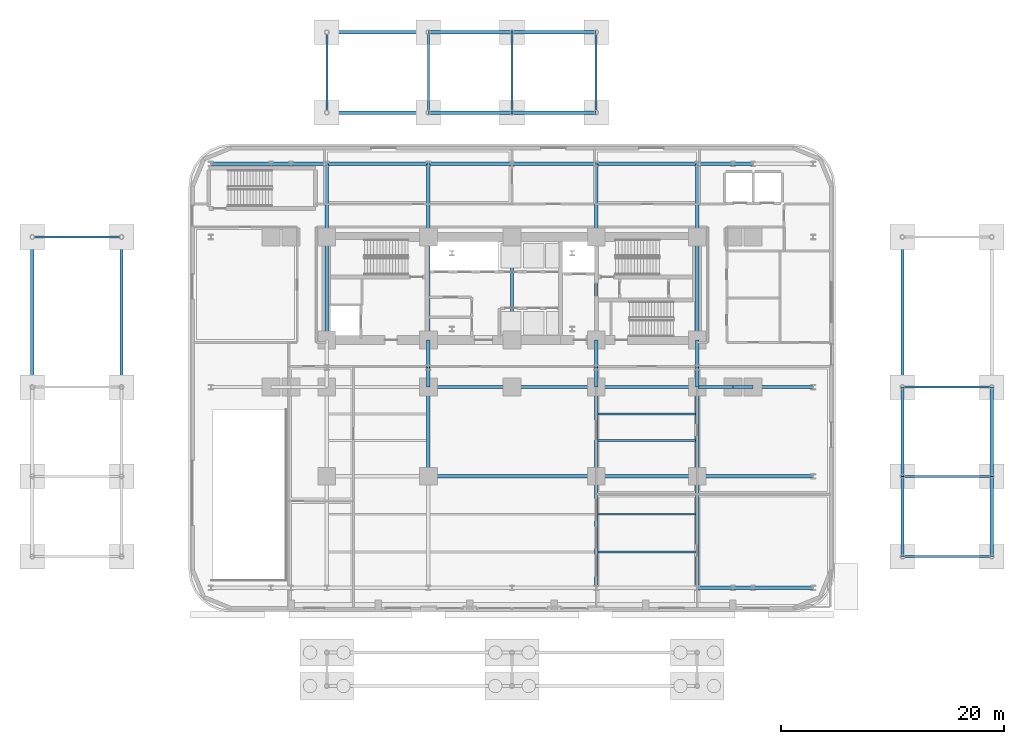
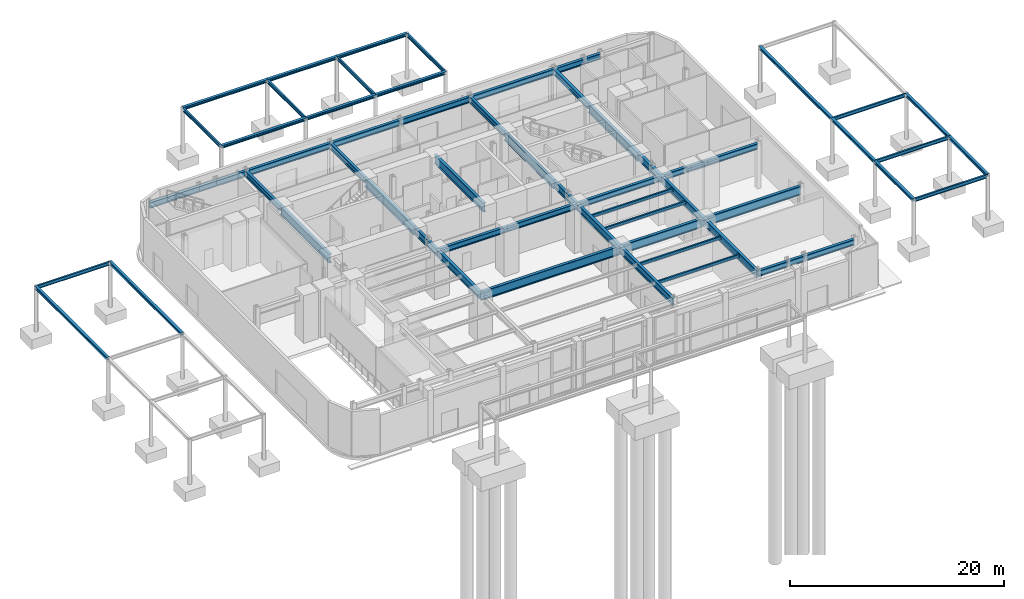
# One storey, part 10 of 21: 66 beams.
"""IFC4 building model written with IfcOpenShell, lengths in metres."""

import ifcopenshell
import ifcopenshell.guid

model = None  # the IFC model being written
_history = None  # IfcOwnerHistory: only IFC2X3 demands one
_inside = {}  # id of a spatial element -> (the spatial element, [elements in it])
_under = {}  # id of a project, library or spatial element -> (it, [spatial elements below it])
_declared = {}  # id of a project -> (the project, [libraries it declares])
_typed = {}  # id of a type object -> (the type object, [elements of that type])
_made_of = {}  # id of a material, layer set ... -> (it, [elements and type objects made of it])


def new_model(schema):
    """Start an empty IFC model of exactly this schema.

    Asked for "IFC4X3", IfcOpenShell would pick the latest addendum, in which some entities
    have other attributes; the version numbers below select the first issue.
    IFC2X3 requires an IfcOwnerHistory on every rooted entity: one is made here for all.
    """
    global model, _history
    if schema == "IFC4X3":
        model = ifcopenshell.file(schema_version=(4, 3, 0, 0))
    else:
        model = ifcopenshell.file(schema=schema)
    _inside.clear()
    _under.clear()
    _declared.clear()
    _typed.clear()
    _made_of.clear()
    _history = None
    if model.schema == "IFC2X3":
        org = make("IfcOrganization", Name="unknown")
        user = make(
            "IfcPersonAndOrganization",
            ThePerson=make("IfcPerson", FamilyName="unknown"),
            TheOrganization=org,
        )
        app = make(
            "IfcApplication",
            ApplicationDeveloper=org,
            Version="unknown",
            ApplicationFullName="unknown",
            ApplicationIdentifier="unknown",
        )
        _history = make(
            "IfcOwnerHistory",
            OwningUser=user,
            OwningApplication=app,
            ChangeAction="ADDED",
            CreationDate=0,
        )
    return model


def make(cls, **values):
    """One entity of the class cls with the attributes given. An attribute that is None is left unset."""
    return model.create_entity(
        cls, **{name: value for name, value in values.items() if value is not None}
    )


def rooted(cls, **values):
    """An entity with a GlobalId (a new one), such as an element, a storey or a relation."""
    return make(cls, GlobalId=ifcopenshell.guid.new(), OwnerHistory=_history, **values)


def si_unit(unit_type, name, prefix=None):
    """IfcSIUnit, for example si_unit("LENGTHUNIT", "METRE", prefix="MILLI")."""
    return make("IfcSIUnit", UnitType=unit_type, Prefix=prefix, Name=name)


def assignment(units):
    """IfcUnitAssignment: the units of a project."""
    return None if units is None else make("IfcUnitAssignment", Units=units)


def point(xyz):
    """IfcCartesianPoint."""
    return None if xyz is None else make("IfcCartesianPoint", Coordinates=xyz)


def direction(xyz):
    """IfcDirection."""
    return None if xyz is None else make("IfcDirection", DirectionRatios=xyz)


def frame(location, z_axis=None, x_axis=None):
    """IfcAxis2Placement3D, a coordinate frame: its origin and axes. An axis left out is left unset."""
    return make(
        "IfcAxis2Placement3D",
        Location=point(location),
        Axis=direction(z_axis),
        RefDirection=direction(x_axis),
    )


def frame_2d(location, x_axis=None):
    """IfcAxis2Placement2D, a coordinate frame in the plane: its origin and x axis."""
    return make(
        "IfcAxis2Placement2D", Location=point(location), RefDirection=direction(x_axis)
    )


def origin():
    """The frame at (0, 0, 0) with its axes left unset."""
    return frame((0.0, 0.0, 0.0))


def origin_2d():
    """The frame at (0, 0) in the plane with its x axis left unset."""
    return frame_2d((0.0, 0.0))


def place(relative_to, where):
    """IfcLocalPlacement: puts the frame where relative to a parent placement (None: the world)."""
    return make(
        "IfcLocalPlacement", PlacementRelTo=relative_to, RelativePlacement=where
    )


def context(
    kind, dimensions, precision=None, world=None, true_north=None, identifier=None
):
    """IfcGeometricRepresentationContext, for example the 3D "Model" context."""
    return make(
        "IfcGeometricRepresentationContext",
        ContextIdentifier=identifier,
        ContextType=kind,
        CoordinateSpaceDimension=dimensions,
        Precision=precision,
        WorldCoordinateSystem=world,
        TrueNorth=true_north,
    )


def subcontext(parent, identifier, kind, view, scale=None):
    """IfcGeometricRepresentationSubContext, for example "Body" below "Model"."""
    return make(
        "IfcGeometricRepresentationSubContext",
        ContextIdentifier=identifier,
        ContextType=kind,
        ParentContext=parent,
        TargetScale=scale,
        TargetView=view,
    )


def project(units=None, contexts=None):
    """IfcProject with its units and contexts."""
    return rooted(
        "IfcProject",
        Name="project",
        RepresentationContexts=contexts,
        UnitsInContext=assignment(units),
    )


def spatial(cls, under=None, at=None, **own):
    """A site, building, storey or space (cls), placed at a placement, below another one or the project."""
    s = rooted(cls, ObjectPlacement=at, **own)
    if under is not None:
        _under.setdefault(under.id(), (under, []))[1].append(s)
    return s


def profile(cls, at=None, kind="AREA", **sizes):
    """A parametric profile (cls). Its sizes go by their IFC names, for example OverallWidth=200.0."""
    return make(cls, ProfileType=kind, Position=at, **sizes)


def i_section(**sizes):
    """IfcIShapeProfileDef."""
    return profile("IfcIShapeProfileDef", **sizes)


def extrude(swept, where, along, depth):
    """IfcExtrudedAreaSolid: the profile swept, set in the frame where, extruded along a direction by depth."""
    return make(
        "IfcExtrudedAreaSolid",
        SweptArea=swept,
        Position=where,
        ExtrudedDirection=direction(along),
        Depth=depth,
    )


def shape(context_of_items, identifier, shape_type, items):
    """IfcShapeRepresentation: the items that make up one representation, for example the "Body"."""
    return make(
        "IfcShapeRepresentation",
        ContextOfItems=context_of_items,
        RepresentationIdentifier=identifier,
        RepresentationType=shape_type,
        Items=items,
    )


def material(Name=None, Category=None):
    """IfcMaterial."""
    return make("IfcMaterial", Name=Name, Category=Category)


def material_profile(
    of_material, cross_section, Name=None, Category=None, Priority=None
):
    """IfcMaterialProfile: a cross section and its material."""
    return make(
        "IfcMaterialProfile",
        Name=Name,
        Material=of_material,
        Profile=cross_section,
        Priority=Priority,
        Category=Category,
    )


def profile_set(profiles, Name=None, composite=None):
    """IfcMaterialProfileSet."""
    return make(
        "IfcMaterialProfileSet",
        Name=Name,
        MaterialProfiles=profiles,
        CompositeProfile=composite,
    )


def made_of(thing, what):
    """Note that an element or type object is made of a material, layer set ...; save() writes the relation."""
    if what is not None:
        _made_of.setdefault(what.id(), (what, []))[1].append(thing)
    return thing


def type_object(cls, material=None, **own):
    """A type object (cls), such as IfcWallType, which elements share."""
    return made_of(rooted(cls, **own), material)


def element(
    cls,
    number,
    at=None,
    inside=None,
    cuts=None,
    type_object=None,
    material=None,
    context=None,
    identifier="Body",
    shape_type=None,
    held_by="IfcProductDefinitionShape",
    body=None,
    shapes=None,
    **own,
):
    """One element of the class cls, such as IfcWall. Its Tag is "e" and its number.

    at: its placement. inside: the storey or other place that contains it. cuts: it is an
    opening in that element (IfcRelVoidsElement). A single representation is given by context,
    identifier, shape_type and body (its items); several are given by shapes. held_by: the class
    of the entity that holds the representations. save() writes the other relations.
    """
    e = rooted(cls, Tag="e%d" % number, ObjectPlacement=at, **own)
    if body is not None:
        shapes = [shape(context, identifier, shape_type, body)]
    if shapes is not None:
        e.Representation = make(held_by, Representations=shapes)
    if inside is not None:
        _inside.setdefault(inside.id(), (inside, []))[1].append(e)
    if cuts is not None:
        rooted(
            "IfcRelVoidsElement", RelatingBuildingElement=cuts, RelatedOpeningElement=e
        )
    if type_object is not None:
        _typed.setdefault(type_object.id(), (type_object, []))[1].append(e)
    return made_of(e, material)


def aggregate(whole, parts):
    """IfcRelAggregates: a whole, such as a stair, and the parts it consists of."""
    return rooted("IfcRelAggregates", RelatingObject=whole, RelatedObjects=parts)


def save(model, path):
    """Write the relations noted so far, then the file.

    IfcRelAggregates (storeys below a building ...), IfcRelContainedInSpatialStructure (elements
    in a storey), IfcRelDefinesByType, IfcRelAssociatesMaterial and IfcRelDeclares: one each for
    every whole, place, type object, material and project.
    """
    for whole, parts in _under.values():
        aggregate(whole, parts)
    for where, things in _inside.values():
        rooted(
            "IfcRelContainedInSpatialStructure",
            RelatedElements=things,
            RelatingStructure=where,
        )
    for kind, things in _typed.values():
        rooted("IfcRelDefinesByType", RelatedObjects=things, RelatingType=kind)
    for what, things in _made_of.values():
        rooted("IfcRelAssociatesMaterial", RelatedObjects=things, RelatingMaterial=what)
    for by, libraries in _declared.values():
        rooted("IfcRelDeclares", RelatingContext=by, RelatedDefinitions=libraries)
    model.write(path)


model = new_model("IFC4")

# Units and contexts
model_context = context("Model", 3, precision=1e-05, world=origin(), true_north=direction((0.0, 1.0)))
body_context = subcontext(model_context, "Body", "Model", "MODEL_VIEW")
ifc_project = project(units=[si_unit("LENGTHUNIT", "METRE"), si_unit("AREAUNIT", "SQUARE_METRE"), si_unit("VOLUMEUNIT", "CUBIC_METRE"), si_unit("PLANEANGLEUNIT", "RADIAN"), si_unit("MASSUNIT", "GRAM", prefix="KILO")], contexts=[model_context])

# Site, building, storey
site_placement = place(None, origin())
site = spatial("IfcSite", under=ifc_project, at=site_placement, CompositionType="ELEMENT")
building_placement = place(site_placement, origin())
building = spatial("IfcBuilding", under=site, at=building_placement, Name="Zarnavel Station Tower", CompositionType="ELEMENT")
storey_placement = place(building_placement, origin())
storey = spatial("IfcBuildingStorey", under=building, at=storey_placement, Name="L01", CompositionType="ELEMENT", Elevation=0.0)

# Beams
ifc_material_1 = material(Name="Steel S355J2", Category="steel")
ifc_material_profile_1 = material_profile(ifc_material_1, i_section(OverallWidth=0.300048828125, OverallDepth=0.320068359375, WebThickness=0.011474609375, FlangeThickness=0.0205078125, FilletRadius=0.027099609375, at=origin_2d()), Name="HEB320")
ifc_profile_set_1 = profile_set([ifc_material_profile_1], Name="Steel S355J2")
beam_type_1 = type_object("IfcBeamType", Name="EB_HEB320", PredefinedType="SPANDREL", material=ifc_profile_set_1)
beam_1_placement = place(storey_placement, frame((63.800048828125, 8.39990234375, 5.0), z_axis=(0.0, 1.0, 0.0), x_axis=(-1.0, 0.0, 0.0)))
element("IfcBeam", 1, at=beam_1_placement, inside=storey, type_object=beam_type_1, Name="East Forecourt Canopy Girder 1-01", PredefinedType="SPANDREL", context=body_context, shape_type="SweptSolid", body=[
    extrude(i_section(OverallWidth=0.300048828125, OverallDepth=0.320068359375, WebThickness=0.011474609375, FlangeThickness=0.0205078125, FilletRadius=0.027099609375, at=origin_2d()), origin(), (0.0, 0.0, 1.0), 7.2001953125),
])
beam_2_placement = place(storey_placement, frame((63.800048828125, 15.60009765625, 5.0), z_axis=(0.0, 1.0, 0.0), x_axis=(-1.0, 0.0, 0.0)))
element("IfcBeam", 2, at=beam_2_placement, inside=storey, type_object=beam_type_1, Name="East Forecourt Canopy Girder 1-02", PredefinedType="SPANDREL", context=body_context, shape_type="SweptSolid", body=[
    extrude(i_section(OverallWidth=0.300048828125, OverallDepth=0.320068359375, WebThickness=0.011474609375, FlangeThickness=0.0205078125, FilletRadius=0.027099609375, at=origin_2d()), origin(), (0.0, 0.0, 1.0), 8.0),
])
beam_3_placement = place(storey_placement, frame((63.800048828125, 23.60009765625, 5.0), z_axis=(0.0, 1.0, 0.0), x_axis=(-1.0, 0.0, 0.0)))
element("IfcBeam", 3, at=beam_3_placement, inside=storey, type_object=beam_type_1, Name="East Forecourt Canopy Girder 1-03", PredefinedType="SPANDREL", context=body_context, shape_type="SweptSolid", body=[
    extrude(i_section(OverallWidth=0.300048828125, OverallDepth=0.320068359375, WebThickness=0.011474609375, FlangeThickness=0.0205078125, FilletRadius=0.027099609375, at=origin_2d()), origin(), (0.0, 0.0, 1.0), 13.449951171875),
])
beam_4_placement = place(storey_placement, frame((71.800048828125, 8.39990234375, 5.0), z_axis=(0.0, 1.0, 0.0), x_axis=(-1.0, 0.0, 0.0)))
element("IfcBeam", 4, at=beam_4_placement, inside=storey, type_object=beam_type_1, Name="East Forecourt Canopy Girder 2-01", PredefinedType="SPANDREL", context=body_context, shape_type="SweptSolid", body=[
    extrude(i_section(OverallWidth=0.300048828125, OverallDepth=0.320068359375, WebThickness=0.011474609375, FlangeThickness=0.0205078125, FilletRadius=0.027099609375, at=origin_2d()), origin(), (0.0, 0.0, 1.0), 7.2001953125),
])
beam_5_placement = place(storey_placement, frame((71.800048828125, 15.60009765625, 5.0), z_axis=(0.0, 1.0, 0.0), x_axis=(-1.0, 0.0, 0.0)))
element("IfcBeam", 5, at=beam_5_placement, inside=storey, type_object=beam_type_1, Name="East Forecourt Canopy Girder 2-02", PredefinedType="SPANDREL", context=body_context, shape_type="SweptSolid", body=[
    extrude(i_section(OverallWidth=0.300048828125, OverallDepth=0.320068359375, WebThickness=0.011474609375, FlangeThickness=0.0205078125, FilletRadius=0.027099609375, at=origin_2d()), origin(), (0.0, 0.0, 1.0), 8.0),
])
for number, where, z_axis, x_axis, name in (
    (6, (-6.199951171875, 23.60009765625, 5.0), (0.0, 1.0, 0.0), (-1.0, 0.0, 0.0), "West Forecourt Canopy Girder 1-03"),
    (7, (-14.199951171875, 23.60009765625, 5.0), (0.0, 1.0, 0.0), (-1.0, 0.0, 0.0), "West Forecourt Canopy Girder 2-03"),
):
    element("IfcBeam", number, at=place(storey_placement, frame(where, z_axis=z_axis, x_axis=x_axis)), inside=storey, type_object=beam_type_1, Name=name, PredefinedType="SPANDREL", context=body_context, shape_type="SweptSolid", body=[
        extrude(i_section(OverallWidth=0.300048828125, OverallDepth=0.320068359375, WebThickness=0.011474609375, FlangeThickness=0.0205078125, FilletRadius=0.027099609375, at=origin_2d()), origin(), (0.0, 0.0, 1.0), 13.449951171875),
    ])
beam_6_placement = place(storey_placement, frame((12.199951171875, 48.199951171875, 5.0), z_axis=(1.0, 0.0, 0.0), x_axis=(0.0, 1.0, 0.0)))
element("IfcBeam", 8, at=beam_6_placement, inside=storey, type_object=beam_type_1, Name="North Porte-Cochere Girder 1-01", PredefinedType="SPANDREL", context=body_context, shape_type="SweptSolid", body=[
    extrude(i_section(OverallWidth=0.300048828125, OverallDepth=0.320068359375, WebThickness=0.011474609375, FlangeThickness=0.0205078125, FilletRadius=0.027099609375, at=origin_2d()), origin(), (0.0, 0.0, 1.0), 9.10009765625),
])
beam_7_placement = place(storey_placement, frame((21.300048828125, 48.199951171875, 5.0), z_axis=(1.0, 0.0, 0.0), x_axis=(0.0, 1.0, 0.0)))
element("IfcBeam", 9, at=beam_7_placement, inside=storey, type_object=beam_type_1, Name="North Porte-Cochere Girder 1-02", PredefinedType="SPANDREL", context=body_context, shape_type="SweptSolid", body=[
    extrude(i_section(OverallWidth=0.300048828125, OverallDepth=0.320068359375, WebThickness=0.011474609375, FlangeThickness=0.0205078125, FilletRadius=0.027099609375, at=origin_2d()), origin(), (0.0, 0.0, 1.0), 7.5),
])
beam_8_placement = place(storey_placement, frame((28.800048828125, 48.199951171875, 5.0), z_axis=(1.0, 0.0, 0.0), x_axis=(0.0, 1.0, 0.0)))
element("IfcBeam", 10, at=beam_8_placement, inside=storey, type_object=beam_type_1, Name="North Porte-Cochere Girder 1-03", PredefinedType="SPANDREL", context=body_context, shape_type="SweptSolid", body=[
    extrude(i_section(OverallWidth=0.300048828125, OverallDepth=0.320068359375, WebThickness=0.011474609375, FlangeThickness=0.0205078125, FilletRadius=0.027099609375, at=origin_2d()), origin(), (0.0, 0.0, 1.0), 7.550048828125),
])
beam_9_placement = place(storey_placement, frame((12.199951171875, 55.39990234375, 5.0), z_axis=(1.0, 0.0, 0.0), x_axis=(0.0, 1.0, 0.0)))
element("IfcBeam", 11, at=beam_9_placement, inside=storey, type_object=beam_type_1, Name="North Porte-Cochere Girder 2-01", PredefinedType="SPANDREL", context=body_context, shape_type="SweptSolid", body=[
    extrude(i_section(OverallWidth=0.300048828125, OverallDepth=0.320068359375, WebThickness=0.011474609375, FlangeThickness=0.0205078125, FilletRadius=0.027099609375, at=origin_2d()), origin(), (0.0, 0.0, 1.0), 9.10009765625),
])
beam_10_placement = place(storey_placement, frame((21.300048828125, 55.39990234375, 5.0), z_axis=(1.0, 0.0, 0.0), x_axis=(0.0, 1.0, 0.0)))
element("IfcBeam", 12, at=beam_10_placement, inside=storey, type_object=beam_type_1, Name="North Porte-Cochere Girder 2-02", PredefinedType="SPANDREL", context=body_context, shape_type="SweptSolid", body=[
    extrude(i_section(OverallWidth=0.300048828125, OverallDepth=0.320068359375, WebThickness=0.011474609375, FlangeThickness=0.0205078125, FilletRadius=0.027099609375, at=origin_2d()), origin(), (0.0, 0.0, 1.0), 7.5),
])
beam_11_placement = place(storey_placement, frame((28.800048828125, 55.39990234375, 5.0), z_axis=(1.0, 0.0, 0.0), x_axis=(0.0, 1.0, 0.0)))
element("IfcBeam", 13, at=beam_11_placement, inside=storey, type_object=beam_type_1, Name="North Porte-Cochere Girder 2-03", PredefinedType="SPANDREL", context=body_context, shape_type="SweptSolid", body=[
    extrude(i_section(OverallWidth=0.300048828125, OverallDepth=0.320068359375, WebThickness=0.011474609375, FlangeThickness=0.0205078125, FilletRadius=0.027099609375, at=origin_2d()), origin(), (0.0, 0.0, 1.0), 7.550048828125),
])
ifc_material_2 = material(Name="Steel S355J2", Category="steel")
ifc_material_profile_2 = material_profile(ifc_material_2, i_section(OverallWidth=0.179931640625, OverallDepth=0.39990234375, WebThickness=0.008544921875, FlangeThickness=0.013427734375, FilletRadius=0.02099609375, at=origin_2d()), Name="IPE400")
ifc_profile_set_2 = profile_set([ifc_material_profile_2], Name="Steel S355J2")
beam_type_2 = type_object("IfcBeamType", Name="FB_IPE400", PredefinedType="BEAM", material=ifc_profile_set_2)
for number, where, z_axis, x_axis, name in (
    (14, (63.945068359375, 8.39990234375, 4.9599609375), (1.0, 0.0, 0.0), (0.0, 1.0, 0.0), "East Canopy Tie 01"),
    (15, (63.945068359375, 15.60009765625, 4.9599609375), (1.0, 0.0, 0.0), (0.0, 1.0, 0.0), "East Canopy Tie 02"),
    (16, (63.945068359375, 23.60009765625, 4.9599609375), (1.0, 0.0, 0.0), (0.0, 1.0, 0.0), "East Canopy Tie 03"),
    (17, (-14.054931640625, 37.050048828125, 4.9599609375), (1.0, 0.0, 0.0), (0.0, 1.0, 0.0), "West Canopy Tie 04"),
):
    element("IfcBeam", number, at=place(storey_placement, frame(where, z_axis=z_axis, x_axis=x_axis)), inside=storey, type_object=beam_type_2, Name=name, PredefinedType="BEAM", context=body_context, shape_type="SweptSolid", body=[
        extrude(i_section(OverallWidth=0.179931640625, OverallDepth=0.39990234375, WebThickness=0.008544921875, FlangeThickness=0.013427734375, FilletRadius=0.02099609375, at=origin_2d()), origin(), (0.0, 0.0, 1.0), 7.7099609375),
    ])
for number, where, z_axis, x_axis, name in (
    (18, (12.199951171875, 48.344970703125, 4.9599609375), (0.0, 1.0, 0.0), (-1.0, 0.0, 0.0), "North Canopy Tie 01"),
    (19, (21.300048828125, 48.344970703125, 4.9599609375), (0.0, 1.0, 0.0), (-1.0, 0.0, 0.0), "North Canopy Tie 02"),
    (20, (28.800048828125, 48.344970703125, 4.9599609375), (0.0, 1.0, 0.0), (-1.0, 0.0, 0.0), "North Canopy Tie 03"),
    (21, (36.35009765625, 48.344970703125, 4.9599609375), (0.0, 1.0, 0.0), (-1.0, 0.0, 0.0), "North Canopy Tie 04"),
):
    element("IfcBeam", number, at=place(storey_placement, frame(where, z_axis=z_axis, x_axis=x_axis)), inside=storey, type_object=beam_type_2, Name=name, PredefinedType="BEAM", context=body_context, shape_type="SweptSolid", body=[
        extrude(i_section(OverallWidth=0.179931640625, OverallDepth=0.39990234375, WebThickness=0.008544921875, FlangeThickness=0.013427734375, FilletRadius=0.02099609375, at=origin_2d()), origin(), (0.0, 0.0, 1.0), 6.909912109375),
    ])
ifc_material_3 = material(Name="Steel S355J2", Category="steel")
ifc_material_profile_3 = material_profile(ifc_material_3, i_section(OverallWidth=0.300048828125, OverallDepth=0.64990234375, WebThickness=0.01611328125, FlangeThickness=0.031005859375, FilletRadius=0.027099609375, at=origin_2d()), Name="HEB650")
ifc_profile_set_3 = profile_set([ifc_material_profile_3], Name="Steel S355J2")
beam_type_3 = type_object("IfcBeamType", Name="FG_HEB650", PredefinedType="USERDEFINED", material=ifc_profile_set_3)
for number, where, z_axis, x_axis, name in (
    (22, (12.199951171875, 37.050048828125, 4.77490234375), (0.0, 1.0, 0.0), (-1.0, 0.0, 0.0), "L01 NS Girder North 1"),
    (23, (21.300048828125, 37.050048828125, 4.77490234375), (0.0, 1.0, 0.0), (-1.0, 0.0, 0.0), "L01 NS Girder North 2"),
    (24, (36.35009765625, 37.050048828125, 4.77490234375), (0.0, 1.0, 0.0), (-1.0, 0.0, 0.0), "L01 NS Girder North 3"),
    (25, (45.39990234375, 37.050048828125, 4.77490234375), (0.0, 1.0, 0.0), (-1.0, 0.0, 0.0), "L01 NS Girder North 4"),
):
    element("IfcBeam", number, at=place(storey_placement, frame(where, z_axis=z_axis, x_axis=x_axis)), inside=storey, type_object=beam_type_3, Name=name, ObjectType="GIRDER", PredefinedType="USERDEFINED", context=body_context, shape_type="SweptSolid", body=[
        extrude(i_section(OverallWidth=0.300048828125, OverallDepth=0.64990234375, WebThickness=0.01611328125, FlangeThickness=0.031005859375, FilletRadius=0.027099609375, at=origin_2d()), origin(), (0.0, 0.0, 1.0), 6.550048828125),
    ])
beam_12_placement = place(storey_placement, frame((45.39990234375, 5.60009765625, 4.77490234375), z_axis=(1.0, 0.0, 0.0), x_axis=(0.0, 1.0, 0.0)))
element("IfcBeam", 26, at=beam_12_placement, inside=storey, type_object=beam_type_3, Name="L01 EW Frame Girder 1-8", ObjectType="GIRDER", PredefinedType="USERDEFINED", context=body_context, shape_type="SweptSolid", body=[
    extrude(i_section(OverallWidth=0.300048828125, OverallDepth=0.64990234375, WebThickness=0.01611328125, FlangeThickness=0.031005859375, FilletRadius=0.027099609375, at=origin_2d()), origin(), (0.0, 0.0, 1.0), 3.2001953125),
])
beam_13_placement = place(storey_placement, frame((48.60009765625, 5.60009765625, 4.77490234375), z_axis=(1.0, 0.0, 0.0), x_axis=(0.0, 1.0, 0.0)))
element("IfcBeam", 27, at=beam_13_placement, inside=storey, type_object=beam_type_3, Name="L01 EW Frame Girder 1-9", ObjectType="GIRDER", PredefinedType="USERDEFINED", context=body_context, shape_type="SweptSolid", body=[
    extrude(i_section(OverallWidth=0.300048828125, OverallDepth=0.64990234375, WebThickness=0.01611328125, FlangeThickness=0.031005859375, FilletRadius=0.027099609375, at=origin_2d()), origin(), (0.0, 0.0, 1.0), 1.7998046875),
])
beam_14_placement = place(storey_placement, frame((50.39990234375, 5.60009765625, 4.77490234375), z_axis=(1.0, 0.0, 0.0), x_axis=(0.0, 1.0, 0.0)))
element("IfcBeam", 28, at=beam_14_placement, inside=storey, type_object=beam_type_3, Name="L01 EW Frame Girder 1-10", ObjectType="GIRDER", PredefinedType="USERDEFINED", context=body_context, shape_type="SweptSolid", body=[
    extrude(i_section(OverallWidth=0.300048828125, OverallDepth=0.64990234375, WebThickness=0.01611328125, FlangeThickness=0.031005859375, FilletRadius=0.027099609375, at=origin_2d()), origin(), (0.0, 0.0, 1.0), 5.400146484375),
])
beam_15_placement = place(storey_placement, frame((21.300048828125, 23.60009765625, 4.77490234375), z_axis=(1.0, 0.0, 0.0), x_axis=(0.0, 1.0, 0.0)))
element("IfcBeam", 29, at=beam_15_placement, inside=storey, type_object=beam_type_3, Name="L01 EW Frame Girder 2-5", ObjectType="GIRDER", PredefinedType="USERDEFINED", context=body_context, shape_type="SweptSolid", body=[
    extrude(i_section(OverallWidth=0.300048828125, OverallDepth=0.64990234375, WebThickness=0.01611328125, FlangeThickness=0.031005859375, FilletRadius=0.027099609375, at=origin_2d()), origin(), (0.0, 0.0, 1.0), 7.5),
])
beam_16_placement = place(storey_placement, frame((28.800048828125, 23.60009765625, 4.77490234375), z_axis=(1.0, 0.0, 0.0), x_axis=(0.0, 1.0, 0.0)))
element("IfcBeam", 30, at=beam_16_placement, inside=storey, type_object=beam_type_3, Name="L01 EW Frame Girder 2-6", ObjectType="GIRDER", PredefinedType="USERDEFINED", context=body_context, shape_type="SweptSolid", body=[
    extrude(i_section(OverallWidth=0.300048828125, OverallDepth=0.64990234375, WebThickness=0.01611328125, FlangeThickness=0.031005859375, FilletRadius=0.027099609375, at=origin_2d()), origin(), (0.0, 0.0, 1.0), 7.550048828125),
])
beam_17_placement = place(storey_placement, frame((36.35009765625, 23.60009765625, 4.77490234375), z_axis=(1.0, 0.0, 0.0), x_axis=(0.0, 1.0, 0.0)))
element("IfcBeam", 31, at=beam_17_placement, inside=storey, type_object=beam_type_3, Name="L01 EW Frame Girder 2-7", ObjectType="GIRDER", PredefinedType="USERDEFINED", context=body_context, shape_type="SweptSolid", body=[
    extrude(i_section(OverallWidth=0.300048828125, OverallDepth=0.64990234375, WebThickness=0.01611328125, FlangeThickness=0.031005859375, FilletRadius=0.027099609375, at=origin_2d()), origin(), (0.0, 0.0, 1.0), 9.0498046875),
])
beam_18_placement = place(storey_placement, frame((45.39990234375, 23.60009765625, 4.77490234375), z_axis=(1.0, 0.0, 0.0), x_axis=(0.0, 1.0, 0.0)))
element("IfcBeam", 32, at=beam_18_placement, inside=storey, type_object=beam_type_3, Name="L01 EW Frame Girder 2-8", ObjectType="GIRDER", PredefinedType="USERDEFINED", context=body_context, shape_type="SweptSolid", body=[
    extrude(i_section(OverallWidth=0.300048828125, OverallDepth=0.64990234375, WebThickness=0.01611328125, FlangeThickness=0.031005859375, FilletRadius=0.027099609375, at=origin_2d()), origin(), (0.0, 0.0, 1.0), 3.2001953125),
])
beam_19_placement = place(storey_placement, frame((48.60009765625, 23.60009765625, 4.77490234375), z_axis=(1.0, 0.0, 0.0), x_axis=(0.0, 1.0, 0.0)))
element("IfcBeam", 33, at=beam_19_placement, inside=storey, type_object=beam_type_3, Name="L01 EW Frame Girder 2-9", ObjectType="GIRDER", PredefinedType="USERDEFINED", context=body_context, shape_type="SweptSolid", body=[
    extrude(i_section(OverallWidth=0.300048828125, OverallDepth=0.64990234375, WebThickness=0.01611328125, FlangeThickness=0.031005859375, FilletRadius=0.027099609375, at=origin_2d()), origin(), (0.0, 0.0, 1.0), 1.7998046875),
])
beam_20_placement = place(storey_placement, frame((50.39990234375, 23.60009765625, 4.77490234375), z_axis=(1.0, 0.0, 0.0), x_axis=(0.0, 1.0, 0.0)))
element("IfcBeam", 34, at=beam_20_placement, inside=storey, type_object=beam_type_3, Name="L01 EW Frame Girder 2-10", ObjectType="GIRDER", PredefinedType="USERDEFINED", context=body_context, shape_type="SweptSolid", body=[
    extrude(i_section(OverallWidth=0.300048828125, OverallDepth=0.64990234375, WebThickness=0.01611328125, FlangeThickness=0.031005859375, FilletRadius=0.027099609375, at=origin_2d()), origin(), (0.0, 0.0, 1.0), 5.400146484375),
])
beam_21_placement = place(storey_placement, frame((1.800048828125, 43.60009765625, 4.77490234375), z_axis=(1.0, 0.0, 0.0), x_axis=(0.0, 1.0, 0.0)))
element("IfcBeam", 35, at=beam_21_placement, inside=storey, type_object=beam_type_3, Name="L01 EW Frame Girder 3-1", ObjectType="GIRDER", PredefinedType="USERDEFINED", context=body_context, shape_type="SweptSolid", body=[
    extrude(i_section(OverallWidth=0.300048828125, OverallDepth=0.64990234375, WebThickness=0.01611328125, FlangeThickness=0.031005859375, FilletRadius=0.027099609375, at=origin_2d()), origin(), (0.0, 0.0, 1.0), 5.39990234375),
])
beam_22_placement = place(storey_placement, frame((7.199951171875, 43.60009765625, 4.77490234375), z_axis=(1.0, 0.0, 0.0), x_axis=(0.0, 1.0, 0.0)))
element("IfcBeam", 36, at=beam_22_placement, inside=storey, type_object=beam_type_3, Name="L01 EW Frame Girder 3-2", ObjectType="GIRDER", PredefinedType="USERDEFINED", context=body_context, shape_type="SweptSolid", body=[
    extrude(i_section(OverallWidth=0.300048828125, OverallDepth=0.64990234375, WebThickness=0.01611328125, FlangeThickness=0.031005859375, FilletRadius=0.027099609375, at=origin_2d()), origin(), (0.0, 0.0, 1.0), 1.800048828125),
])
beam_23_placement = place(storey_placement, frame((9.0, 43.60009765625, 4.77490234375), z_axis=(1.0, 0.0, 0.0), x_axis=(0.0, 1.0, 0.0)))
element("IfcBeam", 37, at=beam_23_placement, inside=storey, type_object=beam_type_3, Name="L01 EW Frame Girder 3-3", ObjectType="GIRDER", PredefinedType="USERDEFINED", context=body_context, shape_type="SweptSolid", body=[
    extrude(i_section(OverallWidth=0.300048828125, OverallDepth=0.64990234375, WebThickness=0.01611328125, FlangeThickness=0.031005859375, FilletRadius=0.027099609375, at=origin_2d()), origin(), (0.0, 0.0, 1.0), 3.199951171875),
])
beam_24_placement = place(storey_placement, frame((12.199951171875, 43.60009765625, 4.77490234375), z_axis=(1.0, 0.0, 0.0), x_axis=(0.0, 1.0, 0.0)))
element("IfcBeam", 38, at=beam_24_placement, inside=storey, type_object=beam_type_3, Name="L01 EW Frame Girder 3-4", ObjectType="GIRDER", PredefinedType="USERDEFINED", context=body_context, shape_type="SweptSolid", body=[
    extrude(i_section(OverallWidth=0.300048828125, OverallDepth=0.64990234375, WebThickness=0.01611328125, FlangeThickness=0.031005859375, FilletRadius=0.027099609375, at=origin_2d()), origin(), (0.0, 0.0, 1.0), 9.10009765625),
])
beam_25_placement = place(storey_placement, frame((21.300048828125, 43.60009765625, 4.77490234375), z_axis=(1.0, 0.0, 0.0), x_axis=(0.0, 1.0, 0.0)))
element("IfcBeam", 39, at=beam_25_placement, inside=storey, type_object=beam_type_3, Name="L01 EW Frame Girder 3-5", ObjectType="GIRDER", PredefinedType="USERDEFINED", context=body_context, shape_type="SweptSolid", body=[
    extrude(i_section(OverallWidth=0.300048828125, OverallDepth=0.64990234375, WebThickness=0.01611328125, FlangeThickness=0.031005859375, FilletRadius=0.027099609375, at=origin_2d()), origin(), (0.0, 0.0, 1.0), 7.5),
])
beam_26_placement = place(storey_placement, frame((28.800048828125, 43.60009765625, 4.77490234375), z_axis=(1.0, 0.0, 0.0), x_axis=(0.0, 1.0, 0.0)))
element("IfcBeam", 40, at=beam_26_placement, inside=storey, type_object=beam_type_3, Name="L01 EW Frame Girder 3-6", ObjectType="GIRDER", PredefinedType="USERDEFINED", context=body_context, shape_type="SweptSolid", body=[
    extrude(i_section(OverallWidth=0.300048828125, OverallDepth=0.64990234375, WebThickness=0.01611328125, FlangeThickness=0.031005859375, FilletRadius=0.027099609375, at=origin_2d()), origin(), (0.0, 0.0, 1.0), 7.550048828125),
])
beam_27_placement = place(storey_placement, frame((36.35009765625, 43.60009765625, 4.77490234375), z_axis=(1.0, 0.0, 0.0), x_axis=(0.0, 1.0, 0.0)))
element("IfcBeam", 41, at=beam_27_placement, inside=storey, type_object=beam_type_3, Name="L01 EW Frame Girder 3-7", ObjectType="GIRDER", PredefinedType="USERDEFINED", context=body_context, shape_type="SweptSolid", body=[
    extrude(i_section(OverallWidth=0.300048828125, OverallDepth=0.64990234375, WebThickness=0.01611328125, FlangeThickness=0.031005859375, FilletRadius=0.027099609375, at=origin_2d()), origin(), (0.0, 0.0, 1.0), 9.0498046875),
])
beam_28_placement = place(storey_placement, frame((45.39990234375, 43.60009765625, 4.77490234375), z_axis=(1.0, 0.0, 0.0), x_axis=(0.0, 1.0, 0.0)))
element("IfcBeam", 42, at=beam_28_placement, inside=storey, type_object=beam_type_3, Name="L01 EW Frame Girder 3-8", ObjectType="GIRDER", PredefinedType="USERDEFINED", context=body_context, shape_type="SweptSolid", body=[
    extrude(i_section(OverallWidth=0.300048828125, OverallDepth=0.64990234375, WebThickness=0.01611328125, FlangeThickness=0.031005859375, FilletRadius=0.027099609375, at=origin_2d()), origin(), (0.0, 0.0, 1.0), 3.2001953125),
])
beam_29_placement = place(storey_placement, frame((48.60009765625, 43.60009765625, 4.77490234375), z_axis=(1.0, 0.0, 0.0), x_axis=(0.0, 1.0, 0.0)))
element("IfcBeam", 43, at=beam_29_placement, inside=storey, type_object=beam_type_3, Name="L01 EW Frame Girder 3-9", ObjectType="GIRDER", PredefinedType="USERDEFINED", context=body_context, shape_type="SweptSolid", body=[
    extrude(i_section(OverallWidth=0.300048828125, OverallDepth=0.64990234375, WebThickness=0.01611328125, FlangeThickness=0.031005859375, FilletRadius=0.027099609375, at=origin_2d()), origin(), (0.0, 0.0, 1.0), 1.7998046875),
])
ifc_material_4 = material(Name="Steel S460M", Category="steel")
ifc_material_profile_4 = material_profile(ifc_material_4, i_section(OverallWidth=0.302978515625, OverallDepth=0.81396484375, WebThickness=0.02099609375, FlangeThickness=0.0400390625, FilletRadius=0.030029296875, at=origin_2d()), Name="HEM800")
ifc_profile_set_4 = profile_set([ifc_material_profile_4], Name="Steel S460M")
beam_type_4 = type_object("IfcBeamType", Name="FG_HEM800", PredefinedType="USERDEFINED", material=ifc_profile_set_4)
beam_30_placement = place(storey_placement, frame((21.300048828125, 15.60009765625, 4.693115234375), z_axis=(0.0, 1.0, 0.0), x_axis=(-1.0, 0.0, 0.0)))
element("IfcBeam", 44, at=beam_30_placement, inside=storey, type_object=beam_type_4, Name="L01 NS Girder Mid 2", ObjectType="GIRDER", PredefinedType="USERDEFINED", context=body_context, shape_type="SweptSolid", body=[
    extrude(i_section(OverallWidth=0.302978515625, OverallDepth=0.81396484375, WebThickness=0.02099609375, FlangeThickness=0.0400390625, FilletRadius=0.030029296875, at=origin_2d()), origin(), (0.0, 0.0, 1.0), 8.0),
])
beam_31_placement = place(storey_placement, frame((21.300048828125, 23.60009765625, 4.693115234375), z_axis=(0.0, 1.0, 0.0), x_axis=(-1.0, 0.0, 0.0)))
element("IfcBeam", 45, at=beam_31_placement, inside=storey, type_object=beam_type_4, Name="L01 NS Girder Spine 2", ObjectType="GIRDER", PredefinedType="USERDEFINED", context=body_context, shape_type="SweptSolid", body=[
    extrude(i_section(OverallWidth=0.302978515625, OverallDepth=0.81396484375, WebThickness=0.02099609375, FlangeThickness=0.0400390625, FilletRadius=0.030029296875, at=origin_2d()), origin(), (0.0, 0.0, 1.0), 1.75),
])
beam_32_placement = place(storey_placement, frame((21.300048828125, 25.35009765625, 4.693115234375), z_axis=(0.0, 1.0, 0.0), x_axis=(-1.0, 0.0, 0.0)))
element("IfcBeam", 46, at=beam_32_placement, inside=storey, type_object=beam_type_4, Name="L01 NS Girder Core 2", ObjectType="GIRDER", PredefinedType="USERDEFINED", context=body_context, shape_type="SweptSolid", body=[
    extrude(i_section(OverallWidth=0.302978515625, OverallDepth=0.81396484375, WebThickness=0.02099609375, FlangeThickness=0.0400390625, FilletRadius=0.030029296875, at=origin_2d()), origin(), (0.0, 0.0, 1.0), 2.469970703125),
])
beam_33_placement = place(storey_placement, frame((36.35009765625, 5.60009765625, 4.693115234375), z_axis=(0.0, 1.0, 0.0), x_axis=(-1.0, 0.0, 0.0)))
element("IfcBeam", 47, at=beam_33_placement, inside=storey, type_object=beam_type_4, Name="L01 NS Girder South 3", ObjectType="GIRDER", PredefinedType="USERDEFINED", context=body_context, shape_type="SweptSolid", body=[
    extrude(i_section(OverallWidth=0.302978515625, OverallDepth=0.81396484375, WebThickness=0.02099609375, FlangeThickness=0.0400390625, FilletRadius=0.030029296875, at=origin_2d()), origin(), (0.0, 0.0, 1.0), 10.0),
])
beam_34_placement = place(storey_placement, frame((36.35009765625, 15.60009765625, 4.693115234375), z_axis=(0.0, 1.0, 0.0), x_axis=(-1.0, 0.0, 0.0)))
element("IfcBeam", 48, at=beam_34_placement, inside=storey, type_object=beam_type_4, Name="L01 NS Girder Mid 3", ObjectType="GIRDER", PredefinedType="USERDEFINED", context=body_context, shape_type="SweptSolid", body=[
    extrude(i_section(OverallWidth=0.302978515625, OverallDepth=0.81396484375, WebThickness=0.02099609375, FlangeThickness=0.0400390625, FilletRadius=0.030029296875, at=origin_2d()), origin(), (0.0, 0.0, 1.0), 8.0),
])
beam_35_placement = place(storey_placement, frame((36.35009765625, 23.60009765625, 4.693115234375), z_axis=(0.0, 1.0, 0.0), x_axis=(-1.0, 0.0, 0.0)))
element("IfcBeam", 49, at=beam_35_placement, inside=storey, type_object=beam_type_4, Name="L01 NS Girder Spine 3", ObjectType="GIRDER", PredefinedType="USERDEFINED", context=body_context, shape_type="SweptSolid", body=[
    extrude(i_section(OverallWidth=0.302978515625, OverallDepth=0.81396484375, WebThickness=0.02099609375, FlangeThickness=0.0400390625, FilletRadius=0.030029296875, at=origin_2d()), origin(), (0.0, 0.0, 1.0), 1.75),
])
beam_36_placement = place(storey_placement, frame((36.35009765625, 25.35009765625, 4.693115234375), z_axis=(0.0, 1.0, 0.0), x_axis=(-1.0, 0.0, 0.0)))
element("IfcBeam", 50, at=beam_36_placement, inside=storey, type_object=beam_type_4, Name="L01 NS Girder Core 3", ObjectType="GIRDER", PredefinedType="USERDEFINED", context=body_context, shape_type="SweptSolid", body=[
    extrude(i_section(OverallWidth=0.302978515625, OverallDepth=0.81396484375, WebThickness=0.02099609375, FlangeThickness=0.0400390625, FilletRadius=0.030029296875, at=origin_2d()), origin(), (0.0, 0.0, 1.0), 2.469970703125),
])
beam_37_placement = place(storey_placement, frame((45.39990234375, 5.60009765625, 4.693115234375), z_axis=(0.0, 1.0, 0.0), x_axis=(-1.0, 0.0, 0.0)))
element("IfcBeam", 51, at=beam_37_placement, inside=storey, type_object=beam_type_4, Name="L01 NS Girder South 4", ObjectType="GIRDER", PredefinedType="USERDEFINED", context=body_context, shape_type="SweptSolid", body=[
    extrude(i_section(OverallWidth=0.302978515625, OverallDepth=0.81396484375, WebThickness=0.02099609375, FlangeThickness=0.0400390625, FilletRadius=0.030029296875, at=origin_2d()), origin(), (0.0, 0.0, 1.0), 10.0),
])
beam_38_placement = place(storey_placement, frame((45.39990234375, 15.60009765625, 4.693115234375), z_axis=(0.0, 1.0, 0.0), x_axis=(-1.0, 0.0, 0.0)))
element("IfcBeam", 52, at=beam_38_placement, inside=storey, type_object=beam_type_4, Name="L01 NS Girder Mid 4", ObjectType="GIRDER", PredefinedType="USERDEFINED", context=body_context, shape_type="SweptSolid", body=[
    extrude(i_section(OverallWidth=0.302978515625, OverallDepth=0.81396484375, WebThickness=0.02099609375, FlangeThickness=0.0400390625, FilletRadius=0.030029296875, at=origin_2d()), origin(), (0.0, 0.0, 1.0), 8.0),
])
beam_39_placement = place(storey_placement, frame((45.39990234375, 23.60009765625, 4.693115234375), z_axis=(0.0, 1.0, 0.0), x_axis=(-1.0, 0.0, 0.0)))
element("IfcBeam", 53, at=beam_39_placement, inside=storey, type_object=beam_type_4, Name="L01 NS Girder Spine 4", ObjectType="GIRDER", PredefinedType="USERDEFINED", context=body_context, shape_type="SweptSolid", body=[
    extrude(i_section(OverallWidth=0.302978515625, OverallDepth=0.81396484375, WebThickness=0.02099609375, FlangeThickness=0.0400390625, FilletRadius=0.030029296875, at=origin_2d()), origin(), (0.0, 0.0, 1.0), 1.75),
])
beam_40_placement = place(storey_placement, frame((45.39990234375, 25.35009765625, 4.693115234375), z_axis=(0.0, 1.0, 0.0), x_axis=(-1.0, 0.0, 0.0)))
element("IfcBeam", 54, at=beam_40_placement, inside=storey, type_object=beam_type_4, Name="L01 NS Girder Core 4", ObjectType="GIRDER", PredefinedType="USERDEFINED", context=body_context, shape_type="SweptSolid", body=[
    extrude(i_section(OverallWidth=0.302978515625, OverallDepth=0.81396484375, WebThickness=0.02099609375, FlangeThickness=0.0400390625, FilletRadius=0.030029296875, at=origin_2d()), origin(), (0.0, 0.0, 1.0), 2.469970703125),
])
ifc_material_5 = material(Name="Steel S355J2", Category="steel")
ifc_material_profile_5 = material_profile(ifc_material_5, i_section(OverallWidth=0.169921875, OverallDepth=0.360107421875, WebThickness=0.008056640625, FlangeThickness=0.0126953125, FilletRadius=0.01806640625, at=origin_2d()), Name="IPE360")
ifc_profile_set_5 = profile_set([ifc_material_profile_5], Name="Steel S355J2")
beam_type_5 = type_object("IfcBeamType", Name="FJ_IPE360", PredefinedType="JOIST", material=ifc_profile_set_5)
for number, where, z_axis, x_axis, name in (
    (55, (36.4951171875, 8.800048828125, 4.919921875), (1.0, 0.0, 0.0), (0.0, 1.0, 0.0), "L01 Floor Joist E1"),
    (56, (36.4951171875, 12.199951171875, 4.919921875), (1.0, 0.0, 0.0), (0.0, 1.0, 0.0), "L01 Floor Joist E2"),
    (57, (36.4951171875, 18.800048828125, 4.919921875), (1.0, 0.0, 0.0), (0.0, 1.0, 0.0), "L01 East Joist 3"),
    (58, (36.4951171875, 21.199951171875, 4.919921875), (1.0, 0.0, 0.0), (0.0, 1.0, 0.0), "L01 East Joist 4"),
):
    element("IfcBeam", number, at=place(storey_placement, frame(where, z_axis=z_axis, x_axis=x_axis)), inside=storey, type_object=beam_type_5, Name=name, PredefinedType="JOIST", context=body_context, shape_type="SweptSolid", body=[
        extrude(i_section(OverallWidth=0.169921875, OverallDepth=0.360107421875, WebThickness=0.008056640625, FlangeThickness=0.0126953125, FilletRadius=0.01806640625, at=origin_2d()), origin(), (0.0, 0.0, 1.0), 8.759765625),
    ])
ifc_material_6 = material(Name="Steel S460M", Category="steel")
ifc_material_profile_6 = material_profile(ifc_material_6, i_section(OverallWidth=0.302001953125, OverallDepth=1.008056640625, WebThickness=0.02099609375, FlangeThickness=0.0400390625, FilletRadius=0.030029296875, at=origin_2d()), Name="HEM1000")
ifc_profile_set_6 = profile_set([ifc_material_profile_6], Name="Steel S460M")
beam_type_6 = type_object("IfcBeamType", Name="TG_HEM1000", PredefinedType="USERDEFINED", material=ifc_profile_set_6)
for number, where, z_axis, x_axis, name in (
    (59, (12.199951171875, 27.820068359375, 4.595947265625), (0.0, 1.0, 0.0), (-1.0, 0.0, 0.0), "L01 Core Spine Coupling Girder 1"),
    (60, (21.300048828125, 27.820068359375, 4.595947265625), (0.0, 1.0, 0.0), (-1.0, 0.0, 0.0), "L01 Core Spine Coupling Girder 2"),
    (61, (28.800048828125, 27.820068359375, 4.595947265625), (0.0, 1.0, 0.0), (-1.0, 0.0, 0.0), "L01 Core Spine Coupling Girder 3"),
    (62, (36.35009765625, 27.820068359375, 4.595947265625), (0.0, 1.0, 0.0), (-1.0, 0.0, 0.0), "L01 Core Spine Coupling Girder 4"),
    (63, (45.39990234375, 27.820068359375, 4.595947265625), (0.0, 1.0, 0.0), (-1.0, 0.0, 0.0), "L01 Core Spine Coupling Girder 5"),
):
    element("IfcBeam", number, at=place(storey_placement, frame(where, z_axis=z_axis, x_axis=x_axis)), inside=storey, type_object=beam_type_6, Name=name, ObjectType="GIRDER", PredefinedType="USERDEFINED", context=body_context, shape_type="SweptSolid", body=[
        extrude(i_section(OverallWidth=0.302001953125, OverallDepth=1.008056640625, WebThickness=0.02099609375, FlangeThickness=0.0400390625, FilletRadius=0.030029296875, at=origin_2d()), origin(), (0.0, 0.0, 1.0), 9.22998046875),
    ])
beam_41_placement = place(storey_placement, frame((21.300048828125, 15.60009765625, 4.595947265625), z_axis=(1.0, 0.0, 0.0), x_axis=(0.0, 1.0, 0.0)))
element("IfcBeam", 64, at=beam_41_placement, inside=storey, type_object=beam_type_6, Name="L01 Concourse Long-Span Girder", ObjectType="GIRDER", PredefinedType="USERDEFINED", context=body_context, shape_type="SweptSolid", body=[
    extrude(i_section(OverallWidth=0.302001953125, OverallDepth=1.008056640625, WebThickness=0.02099609375, FlangeThickness=0.0400390625, FilletRadius=0.030029296875, at=origin_2d()), origin(), (0.0, 0.0, 1.0), 15.050048828125),
])
beam_42_placement = place(storey_placement, frame((36.35009765625, 15.60009765625, 4.595947265625), z_axis=(1.0, 0.0, 0.0), x_axis=(0.0, 1.0, 0.0)))
element("IfcBeam", 65, at=beam_42_placement, inside=storey, type_object=beam_type_6, Name="L01 East Hall Inner Girder", ObjectType="GIRDER", PredefinedType="USERDEFINED", context=body_context, shape_type="SweptSolid", body=[
    extrude(i_section(OverallWidth=0.302001953125, OverallDepth=1.008056640625, WebThickness=0.02099609375, FlangeThickness=0.0400390625, FilletRadius=0.030029296875, at=origin_2d()), origin(), (0.0, 0.0, 1.0), 9.0498046875),
])
beam_43_placement = place(storey_placement, frame((45.39990234375, 15.60009765625, 4.595947265625), z_axis=(1.0, 0.0, 0.0), x_axis=(0.0, 1.0, 0.0)))
element("IfcBeam", 66, at=beam_43_placement, inside=storey, type_object=beam_type_6, Name="L01 East Hall Outer Girder", ObjectType="GIRDER", PredefinedType="USERDEFINED", context=body_context, shape_type="SweptSolid", body=[
    extrude(i_section(OverallWidth=0.302001953125, OverallDepth=1.008056640625, WebThickness=0.02099609375, FlangeThickness=0.0400390625, FilletRadius=0.030029296875, at=origin_2d()), origin(), (0.0, 0.0, 1.0), 10.400146484375),
])

save(model, "model.ifc")
